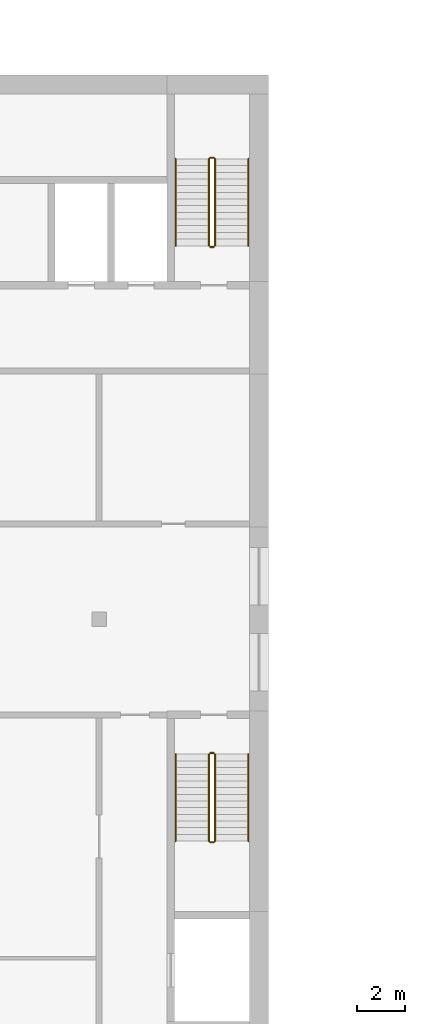
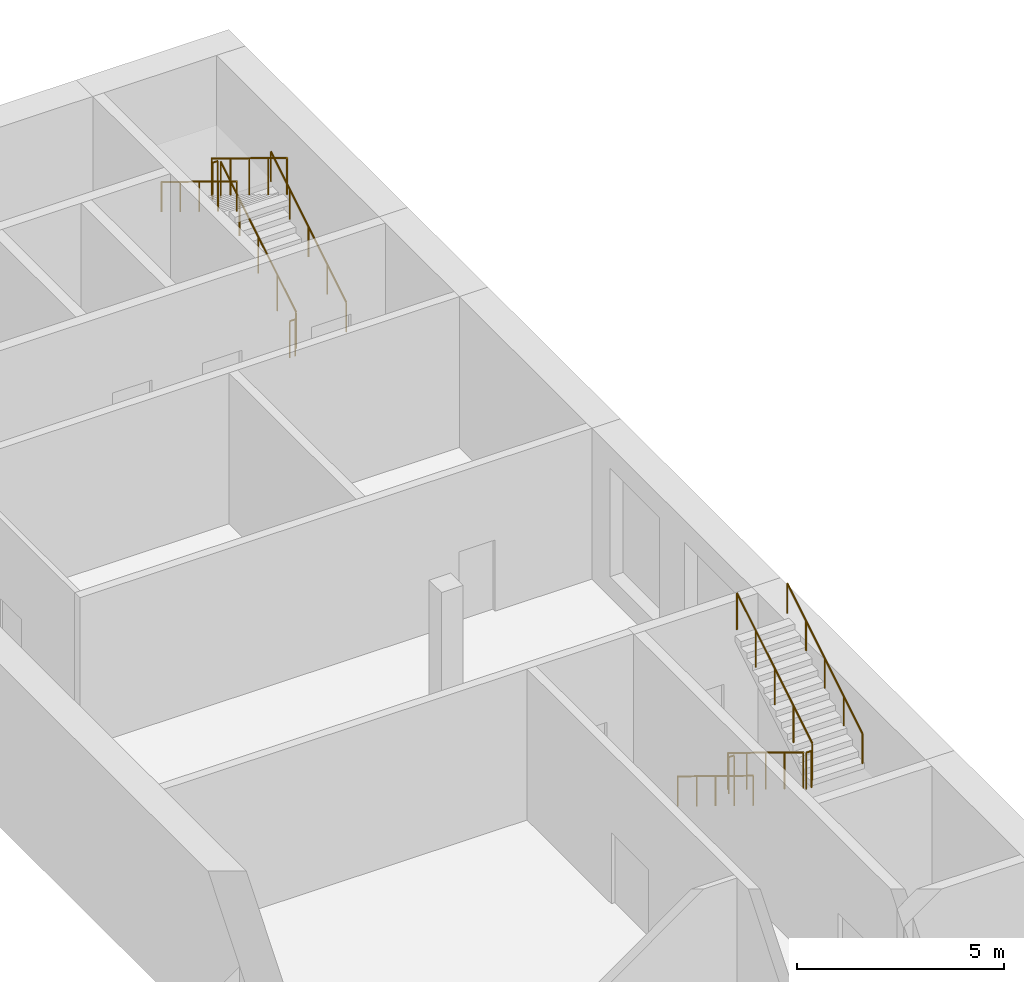
# One storey, part 16 of 23: 12 railings.
"""IFC4 building model written with IfcOpenShell, lengths in metres."""

from ifc_helpers import new_model, si_unit, direction, frame, origin, origin_2d, place, context, subcontext, project, spatial, circle, extrude, material, type_object, element, save


model = new_model("IFC4")

# Units and contexts
model_context = context("Model", 3, precision=1e-05, world=origin(), true_north=direction((0.0, 1.0)))
body_context = subcontext(model_context, "Body", "Model", "MODEL_VIEW")
ifc_project = project(units=[si_unit("LENGTHUNIT", "METRE"), si_unit("AREAUNIT", "SQUARE_METRE"), si_unit("VOLUMEUNIT", "CUBIC_METRE"), si_unit("PLANEANGLEUNIT", "RADIAN"), si_unit("MASSUNIT", "GRAM", prefix="KILO")], contexts=[model_context])

# Site, building, storey
site_placement = place(None, origin())
site = spatial("IfcSite", under=ifc_project, at=site_placement, CompositionType="ELEMENT")
building_placement = place(site_placement, origin())
building = spatial("IfcBuilding", under=site, at=building_placement, Name="Kiln Ring Residences", CompositionType="ELEMENT")
storey_placement = place(building_placement, frame((0.0, 0.0, 16.10009765625)))
storey = spatial("IfcBuildingStorey", under=building, at=storey_placement, Name="L03", CompositionType="ELEMENT", Elevation=16.10009765625)

# Railings
ifc_material_1 = material(Name="Stainless steel", Category="steel")
railing_type_1 = type_object("IfcRailingType", Name="Hall stair guard 1100", PredefinedType="GUARDRAIL", material=ifc_material_1)
railing_1_placement = place(storey_placement, frame((27.75, -119.550048828125, 0.17138671875)))
element("IfcRailing", 1, at=railing_1_placement, inside=storey, type_object=railing_type_1, Name="L03 HALL.ST2 stair guard 1", PredefinedType="GUARDRAIL", context=body_context, shape_type="SweptSolid", body=[
    extrude(circle(Radius=0.02392578125, at=origin_2d()), frame((0.0, 0.0, 1.076171875), z_axis=(0.0, 0.852865859571, 0.52213008492), x_axis=(-1.0, 0.0, 0.0)), (0.0, 0.0, 1.0), 4.26806640625),
    extrude(circle(Radius=0.02099609375, at=origin_2d()), origin(), (0.0, 0.0, 1.0), 1.052001953125),
    extrude(circle(Radius=0.02099609375, at=origin_2d()), frame((0.0, 0.91015625, 0.55712890625)), (0.0, 0.0, 1.0), 1.052001953125),
    extrude(circle(Radius=0.02099609375, at=origin_2d()), frame((0.0, 1.820068359375, 1.1142578125)), (0.0, 0.0, 1.0), 1.052001953125),
    extrude(circle(Radius=0.02099609375, at=origin_2d()), frame((0.0, 2.72998046875, 1.67138671875)), (0.0, 0.0, 1.0), 1.052001953125),
    extrude(circle(Radius=0.02099609375, at=origin_2d()), frame((0.0, 3.64013671875, 2.228515625)), (0.0, 0.0, 1.0), 1.052001953125),
])
railing_2_placement = place(storey_placement, frame((27.699951171875, -115.860107421875, 2.39990234375)))
element("IfcRailing", 2, at=railing_2_placement, inside=storey, type_object=railing_type_1, Name="L03 HALL.ST2 stair guard 2", PredefinedType="GUARDRAIL", context=body_context, shape_type="SweptSolid", body=[
    extrude(circle(Radius=0.02392578125, at=origin_2d()), frame((0.0, 0.0, 1.076171875), z_axis=(-1.0, 0.0, 0.0), x_axis=(0.0, -1.0, 0.0)), (0.0, 0.0, 1.0), 0.14990234375),
    extrude(circle(Radius=0.02099609375, at=origin_2d()), origin(), (0.0, 0.0, 1.0), 1.052001953125),
    extrude(circle(Radius=0.02099609375, at=origin_2d()), frame((-0.14990234375, 0.0, 0.0)), (0.0, 0.0, 1.0), 1.052001953125),
])
railing_3_placement = place(storey_placement, frame((27.5, -115.909912109375, 2.5712890625)))
element("IfcRailing", 3, at=railing_3_placement, inside=storey, type_object=railing_type_1, Name="L03 HALL.ST2 stair guard 3", PredefinedType="GUARDRAIL", context=body_context, shape_type="SweptSolid", body=[
    extrude(circle(Radius=0.02392578125, at=origin_2d()), frame((0.0, 0.0, 1.076171875), z_axis=(0.0, -0.852865859571, 0.52213008492), x_axis=(1.0, 0.0, 0.0)), (0.0, 0.0, 1.0), 4.26806640625),
    extrude(circle(Radius=0.02099609375, at=origin_2d()), origin(), (0.0, 0.0, 1.0), 1.052001953125),
    extrude(circle(Radius=0.02099609375, at=origin_2d()), frame((0.0, -0.91015625, 0.55712890625)), (0.0, 0.0, 1.0), 1.052001953125),
    extrude(circle(Radius=0.02099609375, at=origin_2d()), frame((0.0, -1.820068359375, 1.1142578125)), (0.0, 0.0, 1.0), 1.052001953125),
    extrude(circle(Radius=0.02099609375, at=origin_2d()), frame((0.0, -2.72998046875, 1.67138671875)), (0.0, 0.0, 1.0), 1.052001953125),
    extrude(circle(Radius=0.02099609375, at=origin_2d()), frame((0.0, -3.64013671875, 2.228515625)), (0.0, 0.0, 1.0), 1.052001953125),
])
railing_4_placement = place(storey_placement, frame((27.699951171875, -119.60009765625, 0.0)))
element("IfcRailing", 4, at=railing_4_placement, inside=storey, type_object=railing_type_1, Name="L03 HALL.ST2 stair guard 4", PredefinedType="GUARDRAIL", context=body_context, shape_type="SweptSolid", body=[
    extrude(circle(Radius=0.02392578125, at=origin_2d()), frame((0.0, 0.0, 1.076171875), z_axis=(-1.0, 0.0, 0.0), x_axis=(0.0, -1.0, 0.0)), (0.0, 0.0, 1.0), 0.14990234375),
    extrude(circle(Radius=0.02099609375, at=origin_2d()), origin(), (0.0, 0.0, 1.0), 1.052001953125),
    extrude(circle(Radius=0.02099609375, at=origin_2d()), frame((-0.14990234375, 0.0, 0.0)), (0.0, 0.0, 1.0), 1.052001953125),
])
railing_5_placement = place(storey_placement, frame((27.5, -140.85009765625, 0.17138671875)))
element("IfcRailing", 5, at=railing_5_placement, inside=storey, type_object=railing_type_1, Name="L03 HALL.ST4 stair guard 1", PredefinedType="GUARDRAIL", context=body_context, shape_type="SweptSolid", body=[
    extrude(circle(Radius=0.02392578125, at=origin_2d()), frame((0.0, 0.0, 1.076171875), z_axis=(0.0, -0.852850264322, 0.5221555579), x_axis=(1.0, 0.0, 0.0)), (0.0, 0.0, 1.0), 4.267822265625),
    extrude(circle(Radius=0.02099609375, at=origin_2d()), origin(), (0.0, 0.0, 1.0), 1.052001953125),
    extrude(circle(Radius=0.02099609375, at=origin_2d()), frame((0.0, -0.909912109375, 0.55712890625)), (0.0, 0.0, 1.0), 1.052001953125),
    extrude(circle(Radius=0.02099609375, at=origin_2d()), frame((0.0, -1.81982421875, 1.1142578125)), (0.0, 0.0, 1.0), 1.052001953125),
    extrude(circle(Radius=0.02099609375, at=origin_2d()), frame((0.0, -2.72998046875, 1.67138671875)), (0.0, 0.0, 1.0), 1.052001953125),
    extrude(circle(Radius=0.02099609375, at=origin_2d()), frame((0.0, -3.639892578125, 2.228515625)), (0.0, 0.0, 1.0), 1.052001953125),
])
railing_6_placement = place(storey_placement, frame((27.550048828125, -144.5400390625, 2.39990234375)))
element("IfcRailing", 6, at=railing_6_placement, inside=storey, type_object=railing_type_1, Name="L03 HALL.ST4 stair guard 2", PredefinedType="GUARDRAIL", context=body_context, shape_type="SweptSolid", body=[
    extrude(circle(Radius=0.02392578125, at=origin_2d()), frame((0.0, 0.0, 1.076171875), z_axis=(1.0, 0.0, 0.0), x_axis=(0.0, 1.0, 0.0)), (0.0, 0.0, 1.0), 0.14990234375),
    extrude(circle(Radius=0.02099609375, at=origin_2d()), origin(), (0.0, 0.0, 1.0), 1.052001953125),
    extrude(circle(Radius=0.02099609375, at=origin_2d()), frame((0.14990234375, 0.0, 0.0)), (0.0, 0.0, 1.0), 1.052001953125),
])
railing_7_placement = place(storey_placement, frame((27.75, -144.489990234375, 2.5712890625)))
element("IfcRailing", 7, at=railing_7_placement, inside=storey, type_object=railing_type_1, Name="L03 HALL.ST4 stair guard 3", PredefinedType="GUARDRAIL", context=body_context, shape_type="SweptSolid", body=[
    extrude(circle(Radius=0.02392578125, at=origin_2d()), frame((0.0, 0.0, 1.076171875), z_axis=(0.0, 0.852850264322, 0.5221555579), x_axis=(-1.0, 0.0, 0.0)), (0.0, 0.0, 1.0), 4.267822265625),
    extrude(circle(Radius=0.02099609375, at=origin_2d()), origin(), (0.0, 0.0, 1.0), 1.052001953125),
    extrude(circle(Radius=0.02099609375, at=origin_2d()), frame((0.0, 0.909912109375, 0.55712890625)), (0.0, 0.0, 1.0), 1.052001953125),
    extrude(circle(Radius=0.02099609375, at=origin_2d()), frame((0.0, 1.81982421875, 1.1142578125)), (0.0, 0.0, 1.0), 1.052001953125),
    extrude(circle(Radius=0.02099609375, at=origin_2d()), frame((0.0, 2.72998046875, 1.67138671875)), (0.0, 0.0, 1.0), 1.052001953125),
    extrude(circle(Radius=0.02099609375, at=origin_2d()), frame((0.0, 3.639892578125, 2.228515625)), (0.0, 0.0, 1.0), 1.052001953125),
])
railing_8_placement = place(storey_placement, frame((27.550048828125, -140.800048828125, 0.0)))
element("IfcRailing", 8, at=railing_8_placement, inside=storey, type_object=railing_type_1, Name="L03 HALL.ST4 stair guard 4", PredefinedType="GUARDRAIL", context=body_context, shape_type="SweptSolid", body=[
    extrude(circle(Radius=0.02392578125, at=origin_2d()), frame((0.0, 0.0, 1.076171875), z_axis=(1.0, 0.0, 0.0), x_axis=(0.0, 1.0, 0.0)), (0.0, 0.0, 1.0), 0.14990234375),
    extrude(circle(Radius=0.02099609375, at=origin_2d()), origin(), (0.0, 0.0, 1.0), 1.052001953125),
    extrude(circle(Radius=0.02099609375, at=origin_2d()), frame((0.14990234375, 0.0, 0.0)), (0.0, 0.0, 1.0), 1.052001953125),
])
ifc_material_2 = material(Name="Stainless steel", Category="steel")
railing_type_2 = type_object("IfcRailingType", Name="Hall stair handrail 900", PredefinedType="HANDRAIL", material=ifc_material_2)
railing_9_placement = place(storey_placement, frame((29.14990234375, -119.550048828125, 0.17138671875)))
element("IfcRailing", 9, at=railing_9_placement, inside=storey, type_object=railing_type_2, Name="L03 HALL.ST2 stair handrail 1", PredefinedType="HANDRAIL", context=body_context, shape_type="SweptSolid", body=[
    extrude(circle(Radius=0.02392578125, at=origin_2d()), frame((0.0, 0.0, 0.8759765625), z_axis=(0.0, 0.852865859571, 0.52213008492), x_axis=(-1.0, 0.0, 0.0)), (0.0, 0.0, 1.0), 4.26806640625),
    extrude(circle(Radius=0.02099609375, at=origin_2d()), origin(), (0.0, 0.0, 1.0), 0.851806640625),
    extrude(circle(Radius=0.02099609375, at=origin_2d()), frame((0.0, 0.91015625, 0.55712890625)), (0.0, 0.0, 1.0), 0.851806640625),
    extrude(circle(Radius=0.02099609375, at=origin_2d()), frame((0.0, 1.820068359375, 1.1142578125)), (0.0, 0.0, 1.0), 0.851806640625),
    extrude(circle(Radius=0.02099609375, at=origin_2d()), frame((0.0, 2.72998046875, 1.67138671875)), (0.0, 0.0, 1.0), 0.851806640625),
    extrude(circle(Radius=0.02099609375, at=origin_2d()), frame((0.0, 3.64013671875, 2.228515625)), (0.0, 0.0, 1.0), 0.851806640625),
])
railing_10_placement = place(storey_placement, frame((26.10009765625, -115.909912109375, 2.5712890625)))
element("IfcRailing", 10, at=railing_10_placement, inside=storey, type_object=railing_type_2, Name="L03 HALL.ST2 stair handrail 2", PredefinedType="HANDRAIL", context=body_context, shape_type="SweptSolid", body=[
    extrude(circle(Radius=0.02392578125, at=origin_2d()), frame((0.0, 0.0, 0.8759765625), z_axis=(0.0, -0.852865859571, 0.52213008492), x_axis=(1.0, 0.0, 0.0)), (0.0, 0.0, 1.0), 4.26806640625),
    extrude(circle(Radius=0.02099609375, at=origin_2d()), origin(), (0.0, 0.0, 1.0), 0.851806640625),
    extrude(circle(Radius=0.02099609375, at=origin_2d()), frame((0.0, -0.91015625, 0.55712890625)), (0.0, 0.0, 1.0), 0.851806640625),
    extrude(circle(Radius=0.02099609375, at=origin_2d()), frame((0.0, -1.820068359375, 1.1142578125)), (0.0, 0.0, 1.0), 0.851806640625),
    extrude(circle(Radius=0.02099609375, at=origin_2d()), frame((0.0, -2.72998046875, 1.67138671875)), (0.0, 0.0, 1.0), 0.851806640625),
    extrude(circle(Radius=0.02099609375, at=origin_2d()), frame((0.0, -3.64013671875, 2.228515625)), (0.0, 0.0, 1.0), 0.851806640625),
])
railing_11_placement = place(storey_placement, frame((26.10009765625, -140.85009765625, 0.17138671875)))
element("IfcRailing", 11, at=railing_11_placement, inside=storey, type_object=railing_type_2, Name="L03 HALL.ST4 stair handrail 1", PredefinedType="HANDRAIL", context=body_context, shape_type="SweptSolid", body=[
    extrude(circle(Radius=0.02392578125, at=origin_2d()), frame((0.0, 0.0, 0.8759765625), z_axis=(0.0, -0.852850264322, 0.5221555579), x_axis=(1.0, 0.0, 0.0)), (0.0, 0.0, 1.0), 4.267822265625),
    extrude(circle(Radius=0.02099609375, at=origin_2d()), origin(), (0.0, 0.0, 1.0), 0.851806640625),
    extrude(circle(Radius=0.02099609375, at=origin_2d()), frame((0.0, -0.909912109375, 0.55712890625)), (0.0, 0.0, 1.0), 0.851806640625),
    extrude(circle(Radius=0.02099609375, at=origin_2d()), frame((0.0, -1.81982421875, 1.1142578125)), (0.0, 0.0, 1.0), 0.851806640625),
    extrude(circle(Radius=0.02099609375, at=origin_2d()), frame((0.0, -2.72998046875, 1.67138671875)), (0.0, 0.0, 1.0), 0.851806640625),
    extrude(circle(Radius=0.02099609375, at=origin_2d()), frame((0.0, -3.639892578125, 2.228515625)), (0.0, 0.0, 1.0), 0.851806640625),
])
railing_12_placement = place(storey_placement, frame((29.14990234375, -144.489990234375, 2.5712890625)))
element("IfcRailing", 12, at=railing_12_placement, inside=storey, type_object=railing_type_2, Name="L03 HALL.ST4 stair handrail 2", PredefinedType="HANDRAIL", context=body_context, shape_type="SweptSolid", body=[
    extrude(circle(Radius=0.02392578125, at=origin_2d()), frame((0.0, 0.0, 0.8759765625), z_axis=(0.0, 0.852850264322, 0.5221555579), x_axis=(-1.0, 0.0, 0.0)), (0.0, 0.0, 1.0), 4.267822265625),
    extrude(circle(Radius=0.02099609375, at=origin_2d()), origin(), (0.0, 0.0, 1.0), 0.851806640625),
    extrude(circle(Radius=0.02099609375, at=origin_2d()), frame((0.0, 0.909912109375, 0.55712890625)), (0.0, 0.0, 1.0), 0.851806640625),
    extrude(circle(Radius=0.02099609375, at=origin_2d()), frame((0.0, 1.81982421875, 1.1142578125)), (0.0, 0.0, 1.0), 0.851806640625),
    extrude(circle(Radius=0.02099609375, at=origin_2d()), frame((0.0, 2.72998046875, 1.67138671875)), (0.0, 0.0, 1.0), 0.851806640625),
    extrude(circle(Radius=0.02099609375, at=origin_2d()), frame((0.0, 3.639892578125, 2.228515625)), (0.0, 0.0, 1.0), 0.851806640625),
])

save(model, "model.ifc")
